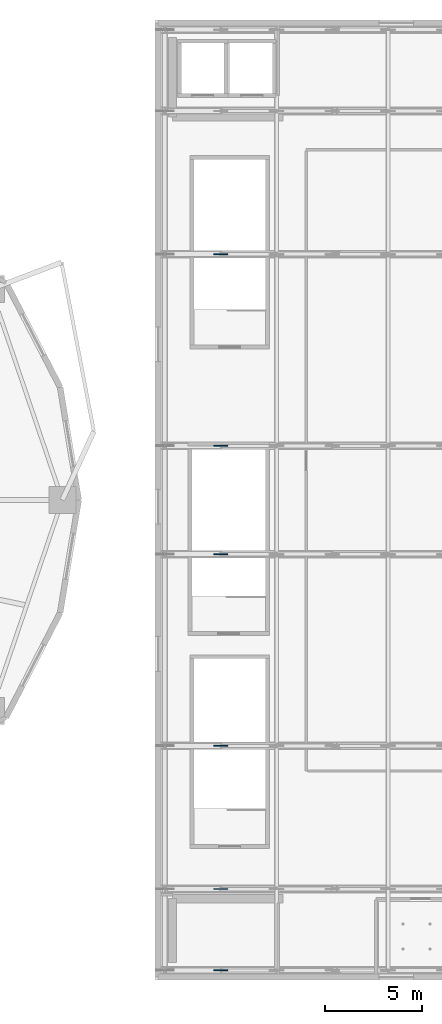
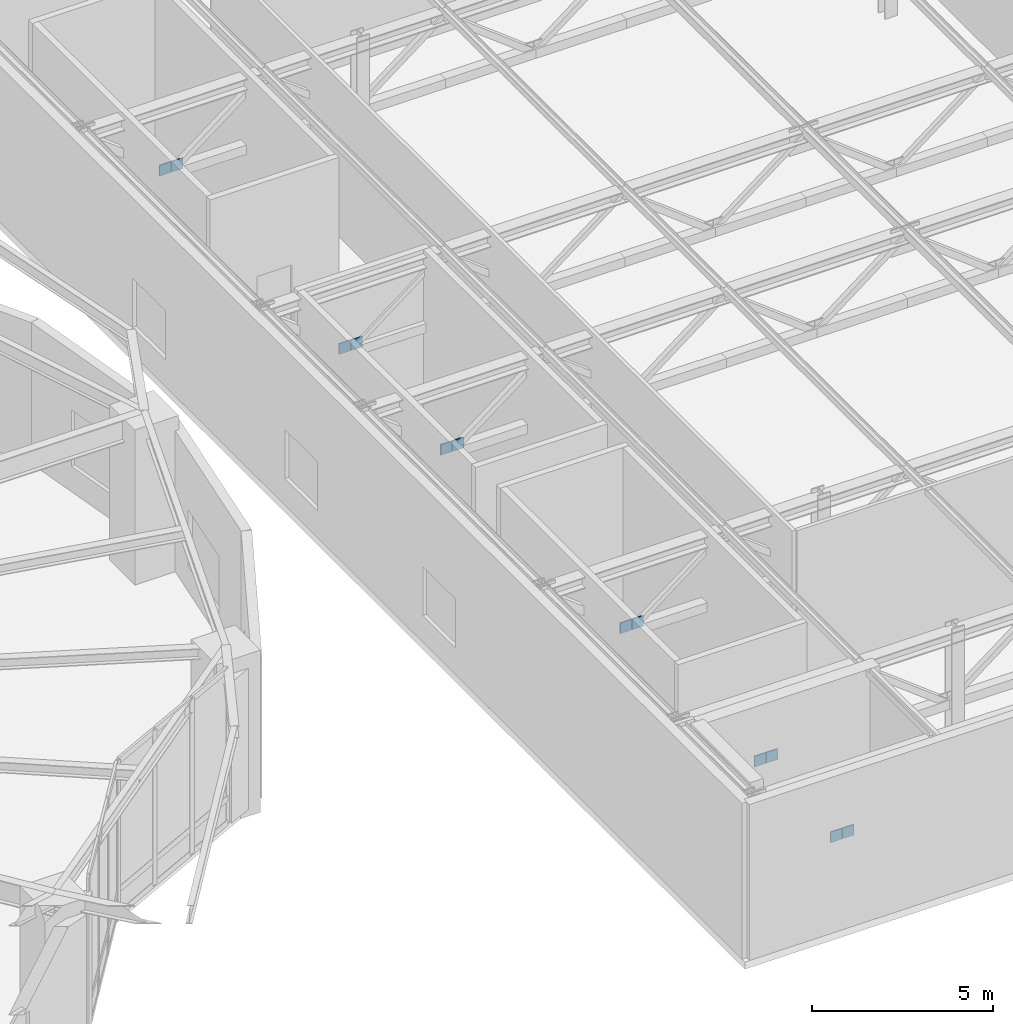
# One storey, part 17 of 29: 12 plates.
"""IFC4 building model written with IfcOpenShell, lengths in metres."""

from ifc_helpers import new_model, si_unit, direction, frame, origin, origin_2d, place, context, subcontext, project, spatial, rectangle, extrude, material, layer, layer_set, type_object, element, save


model = new_model("IFC4")

# Units and contexts
model_context = context("Model", 3, precision=1e-05, world=origin(), true_north=direction((0.0, 1.0)))
body_context = subcontext(model_context, "Body", "Model", "MODEL_VIEW")
ifc_project = project(units=[si_unit("LENGTHUNIT", "METRE"), si_unit("AREAUNIT", "SQUARE_METRE"), si_unit("VOLUMEUNIT", "CUBIC_METRE"), si_unit("PLANEANGLEUNIT", "RADIAN"), si_unit("MASSUNIT", "GRAM", prefix="KILO")], contexts=[model_context])

# Site, building, storey
site_placement = place(None, origin())
site = spatial("IfcSite", under=ifc_project, at=site_placement, CompositionType="ELEMENT")
building_placement = place(site_placement, origin())
building = spatial("IfcBuilding", under=site, at=building_placement, Name="Kolvaren Gate Tower and Convention Centre", CompositionType="ELEMENT")
storey_placement = place(building_placement, frame((0.0, 0.0, 21.0)))
storey = spatial("IfcBuildingStorey", under=building, at=storey_placement, Name="L04", CompositionType="ELEMENT", Elevation=21.0)

# Plates
ifc_material = material(Name="Structural steel plate ASTM A572 Grade 345 MPa", Category="steel")
ifc_layer = layer(ifc_material, 0.035888671875)
ifc_layer_set = layer_set([ifc_layer], Name="Structural steel plate ASTM A572 Grade 345 MPa")
plate_type = type_object("IfcPlateType", Name="STR-PL-END-36", PredefinedType="USERDEFINED", material=ifc_layer_set)
for number, where, z_axis, x_axis, name in (
    (1, (65.39306640625, 2.699951171875, 2.66650390625), (0.0, 0.0, 1.0), (1.0, 0.0, 0.0), "Structural Brace End Connection Gusset Plate EGP-049"),
    (2, (65.7734375, 2.699951171875, 2.66650390625), (0.0, 0.0, 1.0), (1.0, 0.0, 0.0), "Structural Brace End Connection Gusset Plate EGP-050"),
    (3, (65.39306640625, 6.89990234375, 2.66650390625), (0.0, 0.0, 1.0), (1.0, 0.0, 0.0), "Structural Brace End Connection Gusset Plate EGP-069"),
    (4, (65.7734375, 6.89990234375, 2.66650390625), (0.0, 0.0, 1.0), (1.0, 0.0, 0.0), "Structural Brace End Connection Gusset Plate EGP-070"),
    (5, (65.39306640625, 14.300048828125, 2.66650390625), (0.0, 0.0, 1.0), (1.0, 0.0, 0.0), "Structural Brace End Connection Gusset Plate EGP-089"),
    (6, (65.7734375, 14.300048828125, 2.66650390625), (0.0, 0.0, 1.0), (1.0, 0.0, 0.0), "Structural Brace End Connection Gusset Plate EGP-090"),
    (7, (65.39306640625, 24.199951171875, 2.66650390625), (0.0, 0.0, 1.0), (1.0, 0.0, 0.0), "Structural Brace End Connection Gusset Plate EGP-109"),
    (8, (65.7734375, 24.199951171875, 2.66650390625), (0.0, 0.0, 1.0), (1.0, 0.0, 0.0), "Structural Brace End Connection Gusset Plate EGP-110"),
    (9, (65.39306640625, 29.800048828125, 2.66650390625), (0.0, 0.0, 1.0), (1.0, 0.0, 0.0), "Structural Brace End Connection Gusset Plate EGP-129"),
    (10, (65.7734375, 29.800048828125, 2.66650390625), (0.0, 0.0, 1.0), (1.0, 0.0, 0.0), "Structural Brace End Connection Gusset Plate EGP-130"),
    (11, (65.39306640625, 39.699951171875, 2.66650390625), (0.0, 0.0, 1.0), (1.0, 0.0, 0.0), "Structural Brace End Connection Gusset Plate EGP-149"),
    (12, (65.7734375, 39.699951171875, 2.66650390625), (0.0, 0.0, 1.0), (1.0, 0.0, 0.0), "Structural Brace End Connection Gusset Plate EGP-150"),
):
    element("IfcPlate", number, at=place(storey_placement, frame(where, z_axis=z_axis, x_axis=x_axis)), inside=storey, type_object=plate_type, Name=name, ObjectType="GUSSET PLATE", PredefinedType="USERDEFINED", context=body_context, shape_type="SweptSolid", body=[
        extrude(rectangle(XDim=0.360107421875, YDim=0.035888671875, at=origin_2d()), origin(), (0.0, 0.0, 1.0), 0.360107421875),
    ])

save(model, "model.ifc")
